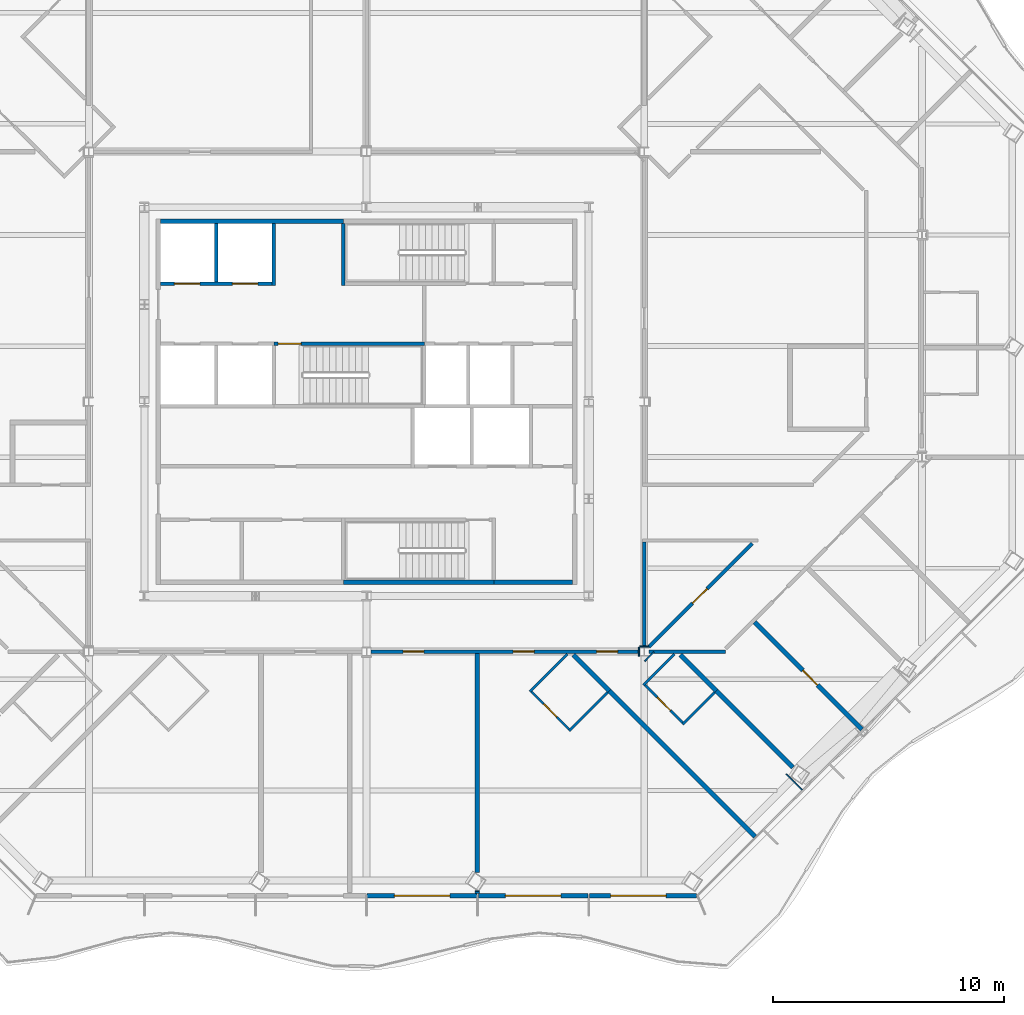
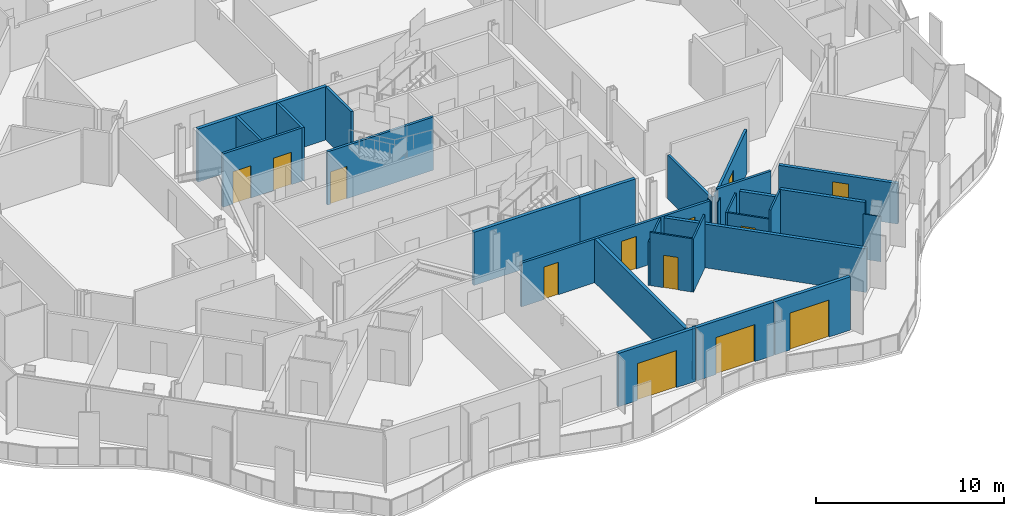
# One storey, part 9 of 21: 32 walls, 13 doors, 13 openings.
"""IFC4 building model written with IfcOpenShell, lengths in metres."""

from ifc_helpers import new_model, si_unit, direction, frame, frame_2d, origin, place, context, subcontext, project, spatial, polyline, rectangle, outline, extrude, material, layer, layer_set, type_object, element, fill, save


model = new_model("IFC4")

# Units and contexts
model_context = context("Model", 3, precision=1e-05, world=origin(), true_north=direction((0.0, 1.0)))
body_context = subcontext(model_context, "Body", "Model", "MODEL_VIEW")
ifc_project = project(units=[si_unit("LENGTHUNIT", "METRE"), si_unit("AREAUNIT", "SQUARE_METRE"), si_unit("VOLUMEUNIT", "CUBIC_METRE"), si_unit("PLANEANGLEUNIT", "RADIAN"), si_unit("MASSUNIT", "GRAM", prefix="KILO")], contexts=[model_context])

# Site, building, storey
site_placement = place(None, origin())
site = spatial("IfcSite", under=ifc_project, at=site_placement, CompositionType="ELEMENT")
building_placement = place(site_placement, origin())
building = spatial("IfcBuilding", under=site, at=building_placement, Name="Cairn Pilgrim Tower", CompositionType="ELEMENT")
storey_placement = place(building_placement, frame((0.0, 0.0, 172.199951171875)))
storey = spatial("IfcBuildingStorey", under=building, at=storey_placement, Name="L43", CompositionType="ELEMENT", Elevation=172.199951171875)

# Wall, opening, door
ifc_material_1 = material(Name="Bronze anodised aluminium insulated sandwich panel with mineral wool fill", Category="aluminium")
ifc_layer_1 = layer(ifc_material_1, 0.199951171875)
ifc_layer_set_1 = layer_set([ifc_layer_1], Name="BRONZE INFILL FRAME WALL 200")
wall_type_1 = type_object("IfcWallType", Name="BRONZE INFILL FRAME WALL 200", PredefinedType="NOTDEFINED", material=ifc_layer_set_1)
wall_1_placement = place(storey_placement, frame((7.22998046875, -18.949951171875, 0.0), z_axis=(0.0, 0.0, 1.0), x_axis=(1.0, 0.0, 0.0)))
wall_1 = element("IfcWall", 1, at=wall_1_placement, inside=storey, type_object=wall_type_1, Name="Bronze infill frame wall IW-S4", PredefinedType="NOTDEFINED", context=body_context, shape_type="SweptSolid", body=[
    extrude(rectangle(XDim=4.739990234375, YDim=0.199951171875, at=frame_2d((2.3701171875, 0.0))), origin(), (0.0, 0.0, 1.0), 3.449951171875),
])
opening_1_placement = place(wall_1_placement, frame((1.169921875, 0.0, 0.0)))
opening_1 = element("IfcOpeningElement", 2, at=opening_1_placement, cuts=wall_1, Name="Opening 4301B", PredefinedType="OPENING", context=body_context, shape_type="SweptSolid", body=[
    extrude(rectangle(XDim=2.39990234375, YDim=2.39990234375, at=frame_2d((1.199951171875, 1.199951171875))), frame((0.0, 0.10986328125, 0.0), z_axis=(0.0, -1.0, 0.0), x_axis=(1.0, 0.0, 0.0)), (0.0, 0.0, 1.0), 0.219970703125),
])
ifc_material_2 = material(Name="Bronze anodised aluminium frame with tinted low-E glass", Category="aluminium")
door_type_1 = type_object("IfcDoorType", Name="BALCONY SLIDING DOOR 2400x2400", OperationType="DOUBLE_DOOR_SLIDING", PredefinedType="DOOR", material=ifc_material_2)
door_1_placement = place(opening_1_placement, origin())
door_1 = element("IfcDoor", 3, at=door_1_placement, inside=storey, type_object=door_type_1, Name="Balcony sliding door 4301B", OperationType="SINGLE_SWING_LEFT", OverallHeight=2.39990234375, OverallWidth=2.39990234375, PredefinedType="DOOR", context=body_context, shape_type="SweptSolid", body=[
    extrude(rectangle(XDim=2.39990234375, YDim=2.39990234375, at=frame_2d((1.199951171875, 1.199951171875))), frame((0.0, 0.02490234375, 0.0), z_axis=(0.0, -1.0, 0.0), x_axis=(1.0, 0.0, 0.0)), (0.0, 0.0, 1.0), 0.050048828125),
])
fill(opening_1, door_1)

wall_2_placement = place(storey_placement, frame((12.030029296875, -18.949951171875, 0.0), z_axis=(0.0, 0.0, 1.0), x_axis=(1.0, 0.0, 0.0)))
wall_2 = element("IfcWall", 4, at=wall_2_placement, inside=storey, type_object=wall_type_1, Name="Bronze infill frame wall IW-S5", PredefinedType="NOTDEFINED", context=body_context, shape_type="SweptSolid", body=[
    extrude(rectangle(XDim=4.739990234375, YDim=0.199951171875, at=frame_2d((2.3701171875, 0.0))), origin(), (0.0, 0.0, 1.0), 3.449951171875),
])
opening_2_placement = place(wall_2_placement, frame((1.170166015625, 0.0, 0.0)))
opening_2 = element("IfcOpeningElement", 5, at=opening_2_placement, cuts=wall_2, Name="Opening 4302B", PredefinedType="OPENING", context=body_context, shape_type="SweptSolid", body=[
    extrude(rectangle(XDim=2.39990234375, YDim=2.39990234375, at=frame_2d((1.199951171875, 1.199951171875))), frame((0.0, 0.10986328125, 0.0), z_axis=(0.0, -1.0, 0.0), x_axis=(1.0, 0.0, 0.0)), (0.0, 0.0, 1.0), 0.219970703125),
])
door_2_placement = place(opening_2_placement, origin())
door_2 = element("IfcDoor", 6, at=door_2_placement, inside=storey, type_object=door_type_1, Name="Balcony sliding door 4302B", OperationType="SINGLE_SWING_LEFT", OverallHeight=2.39990234375, OverallWidth=2.39990234375, PredefinedType="DOOR", context=body_context, shape_type="SweptSolid", body=[
    extrude(rectangle(XDim=2.39990234375, YDim=2.39990234375, at=frame_2d((1.199951171875, 1.199951171875))), frame((0.0, 0.02490234375, 0.0), z_axis=(0.0, -1.0, 0.0), x_axis=(1.0, 0.0, 0.0)), (0.0, 0.0, 1.0), 0.050048828125),
])
fill(opening_2, door_2)

wall_3_placement = place(storey_placement, frame((16.830078125, -18.949951171875, 0.0), z_axis=(0.0, 0.0, 1.0), x_axis=(1.0, 0.0, 0.0)))
wall_3 = element("IfcWall", 7, at=wall_3_placement, inside=storey, type_object=wall_type_1, Name="Bronze infill frame wall IW-S6", PredefinedType="NOTDEFINED", context=body_context, shape_type="SweptSolid", body=[
    extrude(rectangle(XDim=4.62646484375, YDim=0.199951171875, at=frame_2d((2.313232421875, 0.0))), origin(), (0.0, 0.0, 1.0), 3.449951171875),
])
opening_3_placement = place(wall_3_placement, frame((0.918212890625, 0.0, 0.0)))
opening_3 = element("IfcOpeningElement", 8, at=opening_3_placement, cuts=wall_3, Name="Opening 4302B2", PredefinedType="OPENING", context=body_context, shape_type="SweptSolid", body=[
    extrude(rectangle(XDim=2.39990234375, YDim=2.39990234375, at=frame_2d((1.199951171875, 1.199951171875))), frame((0.0, 0.10986328125, 0.0), z_axis=(0.0, -1.0, 0.0), x_axis=(1.0, 0.0, 0.0)), (0.0, 0.0, 1.0), 0.219970703125),
])
door_3_placement = place(opening_3_placement, origin())
door_3 = element("IfcDoor", 9, at=door_3_placement, inside=storey, type_object=door_type_1, Name="Balcony sliding door 4302B2", OperationType="SINGLE_SWING_LEFT", OverallHeight=2.39990234375, OverallWidth=2.39990234375, PredefinedType="DOOR", context=body_context, shape_type="SweptSolid", body=[
    extrude(rectangle(XDim=2.39990234375, YDim=2.39990234375, at=frame_2d((1.199951171875, 1.199951171875))), frame((0.0, 0.02490234375, 0.0), z_axis=(0.0, -1.0, 0.0), x_axis=(1.0, 0.0, 0.0)), (0.0, 0.0, 1.0), 0.050048828125),
])
fill(opening_3, door_3)

# Walls
ifc_material_3 = material(Name="Concrete C32/40", Category="concrete")
ifc_layer_2 = layer(ifc_material_3, 0.199951171875)
ifc_layer_set_2 = layer_set([ifc_layer_2], Name="CORE OUTER WALL 200 EI 120")
wall_type_2 = type_object("IfcWallType", Name="CORE OUTER WALL 200 EI 120", PredefinedType="SOLIDWALL", material=ifc_layer_set_2)
wall_4_placement = place(storey_placement, frame((12.699951171875, -5.39990234375, 0.0), z_axis=(0.0, 0.0, 1.0), x_axis=(1.0, 0.0, 0.0)))
element("IfcWall", 10, at=wall_4_placement, inside=storey, type_object=wall_type_2, Name="CW:L43:H01-3", PredefinedType="SOLIDWALL", context=body_context, shape_type="SweptSolid", body=[
    extrude(rectangle(XDim=3.400146484375, YDim=0.199951171875, at=frame_2d((1.7001953125, 0.0))), origin(), (0.0, 0.0, 1.0), 3.449951171875),
])
wall_5_placement = place(storey_placement, frame((-1.699951171875, 10.199951171875, 0.0), z_axis=(0.0, 0.0, 1.0), x_axis=(1.0, 0.0, 0.0)))
element("IfcWall", 11, at=wall_5_placement, inside=storey, type_object=wall_type_2, Name="CW:L43:H12-1", PredefinedType="SOLIDWALL", context=body_context, shape_type="SweptSolid", body=[
    extrude(rectangle(XDim=7.89990234375, YDim=0.199951171875, at=frame_2d((3.949951171875, 0.0))), origin(), (0.0, 0.0, 1.0), 3.449951171875),
])

# Wall, openings, doors
ifc_layer_3 = layer(ifc_material_3, 0.14990234375)
ifc_layer_set_3 = layer_set([ifc_layer_3], Name="CORE SHAFT WALL 150 EI 120")
wall_type_3 = type_object("IfcWallType", Name="CORE SHAFT WALL 150 EI 120", PredefinedType="SOLIDWALL", material=ifc_layer_set_3)
wall_6_placement = place(storey_placement, frame((-1.699951171875, 7.5, 0.0), z_axis=(0.0, 0.0, 1.0), x_axis=(1.0, 0.0, 0.0)))
wall_6 = element("IfcWall", 12, at=wall_6_placement, inside=storey, type_object=wall_type_3, Name="CW:L43:H10", PredefinedType="SOLIDWALL", context=body_context, shape_type="SweptSolid", body=[
    extrude(rectangle(XDim=4.824951171875, YDim=0.14990234375, at=frame_2d((2.41259765625, 0.0))), origin(), (0.0, 0.0, 1.0), 3.449951171875),
])
opening_4_placement = place(wall_6_placement, frame((0.60009765625, 0.0, 0.0)))
opening_4 = element("IfcOpeningElement", 13, at=opening_4_placement, cuts=wall_6, Name="Opening LD-HR3", PredefinedType="OPENING", context=body_context, shape_type="SweptSolid", body=[
    extrude(rectangle(XDim=1.10009765625, YDim=2.10009765625, at=frame_2d((0.550048828125, 1.050048828125))), frame((0.0, 0.0849609375, 0.0), z_axis=(0.0, -1.0, 0.0), x_axis=(1.0, 0.0, 0.0)), (0.0, 0.0, 1.0), 0.169921875),
])
opening_5_placement = place(wall_6_placement, frame((3.10009765625, 0.0, 0.0)))
opening_5 = element("IfcOpeningElement", 14, at=opening_5_placement, cuts=wall_6, Name="Opening LD-HR4", PredefinedType="OPENING", context=body_context, shape_type="SweptSolid", body=[
    extrude(rectangle(XDim=1.10009765625, YDim=2.10009765625, at=frame_2d((0.550048828125, 1.050048828125))), frame((0.0, 0.0849609375, 0.0), z_axis=(0.0, -1.0, 0.0), x_axis=(1.0, 0.0, 0.0)), (0.0, 0.0, 1.0), 0.169921875),
])
ifc_material_4 = material(Name="Stainless steel", Category="steel")
door_type_2 = type_object("IfcDoorType", Name="LIFT LANDING DOOR 1100x2100", OperationType="DOUBLE_DOOR_SLIDING", PredefinedType="DOOR", material=ifc_material_4)
door_4_placement = place(opening_4_placement, origin())
door_4 = element("IfcDoor", 15, at=door_4_placement, inside=storey, type_object=door_type_2, Name="LANDING DOOR HR3", OperationType="DOUBLE_DOOR_SLIDING", OverallHeight=2.10009765625, OverallWidth=1.10009765625, PredefinedType="DOOR", context=body_context, shape_type="SweptSolid", body=[
    extrude(rectangle(XDim=1.10009765625, YDim=2.10009765625, at=frame_2d((0.550048828125, 1.050048828125))), frame((0.0, 0.02490234375, 0.0), z_axis=(0.0, -1.0, 0.0), x_axis=(1.0, 0.0, 0.0)), (0.0, 0.0, 1.0), 0.050048828125),
])
fill(opening_4, door_4)
door_5_placement = place(opening_5_placement, origin())
door_5 = element("IfcDoor", 16, at=door_5_placement, inside=storey, type_object=door_type_2, Name="LANDING DOOR HR4", OperationType="DOUBLE_DOOR_SLIDING", OverallHeight=2.10009765625, OverallWidth=1.10009765625, PredefinedType="DOOR", context=body_context, shape_type="SweptSolid", body=[
    extrude(rectangle(XDim=1.10009765625, YDim=2.10009765625, at=frame_2d((0.550048828125, 1.050048828125))), frame((0.0, 0.02490234375, 0.0), z_axis=(0.0, -1.0, 0.0), x_axis=(1.0, 0.0, 0.0)), (0.0, 0.0, 1.0), 0.050048828125),
])
fill(opening_5, door_5)

# Walls
wall_7_placement = place(storey_placement, frame((0.699951171875, 7.574951171875, 0.0), z_axis=(0.0, 0.0, 1.0), x_axis=(0.0, 1.0, 0.0)))
element("IfcWall", 17, at=wall_7_placement, inside=storey, type_object=wall_type_3, Name="CW:L43:V15", PredefinedType="SOLIDWALL", context=body_context, shape_type="SweptSolid", body=[
    extrude(rectangle(XDim=2.525146484375, YDim=0.14990234375, at=frame_2d((1.2626953125, 0.0))), origin(), (0.0, 0.0, 1.0), 3.449951171875),
])
wall_8_placement = place(storey_placement, frame((3.199951171875, 7.425048828125, 0.0), z_axis=(0.0, 0.0, 1.0), x_axis=(0.0, 1.0, 0.0)))
element("IfcWall", 18, at=wall_8_placement, inside=storey, type_object=wall_type_3, Name="CW:L43:V18", PredefinedType="SOLIDWALL", context=body_context, shape_type="SweptSolid", body=[
    extrude(rectangle(XDim=2.675048828125, YDim=0.14990234375, at=frame_2d((1.33740234375, 0.0))), origin(), (0.0, 0.0, 1.0), 3.449951171875),
])
ifc_material_5 = material(Name="Gypsum partition")
ifc_layer_4 = layer(ifc_material_5, 0.10009765625)
ifc_layer_set_4 = layer_set([ifc_layer_4], Name="PARTITION 100 DRYWALL")
wall_type_4 = type_object("IfcWallType", Name="PARTITION 100 DRYWALL", PredefinedType="PARTITIONING", material=ifc_layer_set_4)
wall_9_placement = place(storey_placement, frame((15.95361328125, -11.829345703125, 0.0), z_axis=(0.0, 0.0, 1.0), x_axis=(0.707106781187, 0.707106781187, 0.0)))
element("IfcWall", 19, at=wall_9_placement, inside=storey, type_object=wall_type_4, Name="PARTITION W014", PredefinedType="PARTITIONING", context=body_context, shape_type="SweptSolid", body=[
    extrude(rectangle(XDim=2.349853515625, YDim=0.10009765625, at=frame_2d((1.1748046875, 0.0))), origin(), (0.0, 0.0, 1.0), 3.449951171875),
])

# Wall, opening, door
wall_10_placement = place(storey_placement, frame((15.95361328125, -11.758544921875, 0.0), z_axis=(0.0, 0.0, 1.0), x_axis=(-0.707106781187, 0.707106781187, 0.0)))
wall_10 = element("IfcWall", 20, at=wall_10_placement, inside=storey, type_object=wall_type_4, Name="PARTITION W015", PredefinedType="PARTITIONING", context=body_context, shape_type="SweptSolid", body=[
    extrude(rectangle(XDim=2.2998046875, YDim=0.10009765625, at=frame_2d((1.14990234375, 0.0))), origin(), (0.0, 0.0, 1.0), 3.449951171875),
])
opening_6_placement = place(wall_10_placement, frame((0.75, 0.0, 0.0)))
opening_6 = element("IfcOpeningElement", 21, at=opening_6_placement, cuts=wall_10, Name="Opening 4302A", PredefinedType="OPENING", context=body_context, shape_type="SweptSolid", body=[
    extrude(rectangle(XDim=0.800048828125, YDim=2.10009765625, at=frame_2d((0.39990234375, 1.050048828125))), frame((0.0, 0.06005859375, 0.0), z_axis=(0.0, -1.0, 0.0), x_axis=(1.0, 0.0, 0.0)), (0.0, 0.0, 1.0), 0.1201171875),
])
ifc_material_6 = material(Name="Timber door leaf", Category="wood")
door_type_3 = type_object("IfcDoorType", Name="WC DOOR 800x2100", OperationType="NOTDEFINED", PredefinedType="DOOR", material=ifc_material_6)
door_6_placement = place(opening_6_placement, origin())
door_6 = element("IfcDoor", 22, at=door_6_placement, inside=storey, type_object=door_type_3, Name="DOOR 4302A", OperationType="SINGLE_SWING_RIGHT", OverallHeight=2.10009765625, OverallWidth=0.800048828125, PredefinedType="DOOR", context=body_context, shape_type="SweptSolid", body=[
    extrude(rectangle(XDim=0.800048828125, YDim=2.10009765625, at=frame_2d((0.39990234375, 1.050048828125))), frame((0.0, 0.02490234375, 0.0), z_axis=(0.0, -1.0, 0.0), x_axis=(1.0, 0.0, 0.0)), (0.0, 0.0, 1.0), 0.050048828125),
])
fill(opening_6, door_6)

# Wall
wall_11_placement = place(storey_placement, frame((20.860595703125, -11.54638671875, 0.0), z_axis=(0.0, 0.0, 1.0), x_axis=(0.707106781187, 0.707106781187, 0.0)))
element("IfcWall", 23, at=wall_11_placement, inside=storey, type_object=wall_type_4, Name="PARTITION W017", PredefinedType="PARTITIONING", context=body_context, shape_type="SweptSolid", body=[
    extrude(rectangle(XDim=1.94970703125, YDim=0.10009765625, at=frame_2d((0.974853515625, 0.0))), origin(), (0.0, 0.0, 1.0), 3.449951171875),
])

# Wall, opening, door
wall_12_placement = place(storey_placement, frame((20.860595703125, -11.4755859375, 0.0), z_axis=(0.0, 0.0, 1.0), x_axis=(-0.707106781187, 0.707106781187, 0.0)))
wall_12 = element("IfcWall", 24, at=wall_12_placement, inside=storey, type_object=wall_type_4, Name="PARTITION W018", PredefinedType="PARTITIONING", context=body_context, shape_type="SweptSolid", body=[
    extrude(rectangle(XDim=2.2998046875, YDim=0.10009765625, at=frame_2d((1.14990234375, 0.0))), origin(), (0.0, 0.0, 1.0), 2.830078125),
])
opening_7_placement = place(wall_12_placement, frame((0.75, 0.0, 0.0)))
opening_7 = element("IfcOpeningElement", 25, at=opening_7_placement, cuts=wall_12, Name="Opening 4303A", PredefinedType="OPENING", context=body_context, shape_type="SweptSolid", body=[
    extrude(rectangle(XDim=0.800048828125, YDim=2.10009765625, at=frame_2d((0.39990234375, 1.050048828125))), frame((0.0, 0.06005859375, 0.0), z_axis=(0.0, -1.0, 0.0), x_axis=(1.0, 0.0, 0.0)), (0.0, 0.0, 1.0), 0.1201171875),
])
door_7_placement = place(opening_7_placement, origin())
door_7 = element("IfcDoor", 26, at=door_7_placement, inside=storey, type_object=door_type_3, Name="DOOR 4303A", OperationType="SINGLE_SWING_RIGHT", OverallHeight=2.10009765625, OverallWidth=0.800048828125, PredefinedType="DOOR", context=body_context, shape_type="SweptSolid", body=[
    extrude(rectangle(XDim=0.800048828125, YDim=2.10009765625, at=frame_2d((0.39990234375, 1.050048828125))), frame((0.0, 0.02490234375, 0.0), z_axis=(0.0, -1.0, 0.0), x_axis=(1.0, 0.0, 0.0)), (0.0, 0.0, 1.0), 0.050048828125),
])
fill(opening_7, door_7)

# Walls
wall_13_placement = place(storey_placement, frame((14.256591796875, -10.13232421875, 0.0), z_axis=(0.0, 0.0, 1.0), x_axis=(0.707106781187, 0.707106781187, 0.0)))
element("IfcWall", 27, at=wall_13_placement, inside=storey, type_object=wall_type_4, Name="PARTITION W023", PredefinedType="PARTITIONING", context=body_context, shape_type="SweptSolid", body=[
    extrude(rectangle(XDim=2.2939453125, YDim=0.10009765625, at=frame_2d((1.14697265625, 0.0))), origin(), (0.0, 0.0, 1.0), 2.830078125),
])
wall_14_placement = place(storey_placement, frame((19.16357421875, -9.849365234375, 0.0), z_axis=(0.0, 0.0, 1.0), x_axis=(0.707171242354, 0.707042314142, 0.0)))
element("IfcWall", 28, at=wall_14_placement, inside=storey, type_object=wall_type_4, Name="PARTITION W026", PredefinedType="PARTITIONING", context=body_context, shape_type="SweptSolid", body=[
    extrude(rectangle(XDim=1.8935546875, YDim=0.10009765625, at=frame_2d((0.94677734375, 0.0))), origin(), (0.0, 0.0, 1.0), 2.830078125),
])

# Wall, openings, doors
ifc_layer_5 = layer(ifc_material_5, 0.14990234375)
ifc_layer_set_5 = layer_set([ifc_layer_5], Name="PARTITION 150 DRYWALL EI 60")
wall_type_5 = type_object("IfcWallType", Name="PARTITION 150 DRYWALL EI 60", PredefinedType="PARTITIONING", material=ifc_layer_set_5)
wall_15_placement = place(storey_placement, frame((7.3994140625, -8.39990234375, 0.0), z_axis=(0.0, 0.0, 1.0), x_axis=(1.0, 0.0, 0.0)))
wall_15 = element("IfcWall", 29, at=wall_15_placement, inside=storey, type_object=wall_type_5, Name="PARTITION W031", PredefinedType="PARTITIONING", context=body_context, shape_type="SweptSolid", body=[
    extrude(rectangle(XDim=11.60107421875, YDim=0.14990234375, at=frame_2d((5.800537109375, 0.0))), origin(), (0.0, 0.0, 1.0), 2.830078125),
])
opening_8_placement = place(wall_15_placement, frame((1.37939453125, 0.0, 0.0)))
opening_8 = element("IfcOpeningElement", 30, at=opening_8_placement, cuts=wall_15, Name="Opening 4301", PredefinedType="OPENING", context=body_context, shape_type="SweptSolid", body=[
    extrude(rectangle(XDim=0.89990234375, YDim=2.10009765625, at=frame_2d((0.449951171875, 1.050048828125))), frame((0.0, 0.0849609375, 0.0), z_axis=(0.0, -1.0, 0.0), x_axis=(1.0, 0.0, 0.0)), (0.0, 0.0, 1.0), 0.169921875),
])
opening_9_placement = place(wall_15_placement, frame((6.139404296875, 0.0, 0.0)))
opening_9 = element("IfcOpeningElement", 31, at=opening_9_placement, cuts=wall_15, Name="Opening 4302", PredefinedType="OPENING", context=body_context, shape_type="SweptSolid", body=[
    extrude(rectangle(XDim=0.89990234375, YDim=2.10009765625, at=frame_2d((0.449951171875, 1.050048828125))), frame((0.0, 0.0849609375, 0.0), z_axis=(0.0, -1.0, 0.0), x_axis=(1.0, 0.0, 0.0)), (0.0, 0.0, 1.0), 0.169921875),
])
opening_10_placement = place(wall_15_placement, frame((9.745361328125, 0.0, 0.0)))
opening_10 = element("IfcOpeningElement", 32, at=opening_10_placement, cuts=wall_15, Name="Opening 4303", PredefinedType="OPENING", context=body_context, shape_type="SweptSolid", body=[
    extrude(rectangle(XDim=0.89990234375, YDim=2.10009765625, at=frame_2d((0.449951171875, 1.050048828125))), frame((0.0, 0.0849609375, 0.0), z_axis=(0.0, -1.0, 0.0), x_axis=(1.0, 0.0, 0.0)), (0.0, 0.0, 1.0), 0.169921875),
])
door_type_4 = type_object("IfcDoorType", Name="ROOM DOOR 900x2100 FD30S", OperationType="NOTDEFINED", PredefinedType="DOOR", material=ifc_material_6)
door_8_placement = place(opening_9_placement, frame((0.89990234375, 0.0, 0.0), z_axis=(0.0, 0.0, 1.0), x_axis=(-1.0, 0.0, 0.0)))
door_8 = element("IfcDoor", 33, at=door_8_placement, inside=storey, type_object=door_type_4, Name="DOOR 4302", OperationType="SINGLE_SWING_RIGHT", OverallHeight=2.10009765625, OverallWidth=0.89990234375, PredefinedType="DOOR", context=body_context, shape_type="SweptSolid", body=[
    extrude(rectangle(XDim=0.89990234375, YDim=2.10009765625, at=frame_2d((0.449951171875, 1.050048828125))), frame((0.0, 0.02490234375, 0.0), z_axis=(0.0, -1.0, 0.0), x_axis=(1.0, 0.0, 0.0)), (0.0, 0.0, 1.0), 0.050048828125),
])
fill(opening_9, door_8)
door_9_placement = place(opening_10_placement, frame((0.89990234375, 0.0, 0.0), z_axis=(0.0, 0.0, 1.0), x_axis=(-1.0, 0.0, 0.0)))
door_9 = element("IfcDoor", 34, at=door_9_placement, inside=storey, type_object=door_type_4, Name="DOOR 4303", OperationType="SINGLE_SWING_RIGHT", OverallHeight=2.10009765625, OverallWidth=0.89990234375, PredefinedType="DOOR", context=body_context, shape_type="SweptSolid", body=[
    extrude(rectangle(XDim=0.89990234375, YDim=2.10009765625, at=frame_2d((0.449951171875, 1.050048828125))), frame((0.0, 0.02490234375, 0.0), z_axis=(0.0, -1.0, 0.0), x_axis=(1.0, 0.0, 0.0)), (0.0, 0.0, 1.0), 0.050048828125),
])
fill(opening_10, door_9)
door_type_5 = type_object("IfcDoorType", Name="SERVICE DOOR 900x2100 FD30S", OperationType="NOTDEFINED", PredefinedType="DOOR", material=ifc_material_6)
door_10_placement = place(opening_8_placement, frame((0.89990234375, 0.0, 0.0), z_axis=(0.0, 0.0, 1.0), x_axis=(-1.0, 0.0, 0.0)))
door_10 = element("IfcDoor", 35, at=door_10_placement, inside=storey, type_object=door_type_5, Name="DOOR 4301", OperationType="SINGLE_SWING_RIGHT", OverallHeight=2.10009765625, OverallWidth=0.89990234375, PredefinedType="DOOR", context=body_context, shape_type="SweptSolid", body=[
    extrude(rectangle(XDim=0.89990234375, YDim=2.10009765625, at=frame_2d((0.449951171875, 1.050048828125))), frame((0.0, 0.02490234375, 0.0), z_axis=(0.0, -1.0, 0.0), x_axis=(1.0, 0.0, 0.0)), (0.0, 0.0, 1.0), 0.050048828125),
])
fill(opening_8, door_10)

# Walls
wall_16_placement = place(storey_placement, frame((19.3994140625, -8.39990234375, 0.0), z_axis=(0.0, 0.0, 1.0), x_axis=(1.0, 0.0, 0.0)))
element("IfcWall", 36, at=wall_16_placement, inside=storey, type_object=wall_type_5, Name="PARTITION W032", PredefinedType="PARTITIONING", context=body_context, shape_type="SweptSolid", body=[
    extrude(rectangle(XDim=3.300537109375, YDim=0.14990234375, at=frame_2d((1.650390625, 0.0))), origin(), (0.0, 0.0, 1.0), 3.449951171875),
])
wall_17_placement = place(storey_placement, frame((19.199951171875, -8.20361328125, 0.0), z_axis=(0.0, 0.0, 1.0), x_axis=(0.0, 1.0, 0.0)))
element("IfcWall", 37, at=wall_17_placement, inside=storey, type_object=wall_type_5, Name="PARTITION W037", PredefinedType="PARTITIONING", context=body_context, shape_type="SweptSolid", body=[
    extrude(rectangle(XDim=4.528564453125, YDim=0.14990234375, at=frame_2d((2.26416015625, 0.0))), origin(), (0.0, 0.0, 1.0), 2.830078125),
])

# Wall, opening, door
wall_18_placement = place(storey_placement, frame((19.39794921875, -8.201904296875, 0.0), z_axis=(0.0, 0.0, 1.0), x_axis=(0.707126073897, 0.70708748795, 0.0)))
wall_18 = element("IfcWall", 38, at=wall_18_placement, inside=storey, type_object=wall_type_5, Name="PARTITION W038", PredefinedType="PARTITIONING", context=body_context, shape_type="SweptSolid", body=[
    extrude(rectangle(XDim=6.3271484375, YDim=0.14990234375, at=frame_2d((3.16357421875, 0.0))), origin(), (0.0, 0.0, 1.0), 2.880126953125),
])
opening_11_placement = place(wall_18_placement, frame((2.6640625, 0.0, 0.0)))
opening_11 = element("IfcOpeningElement", 39, at=opening_11_placement, cuts=wall_18, Name="Opening 4329", PredefinedType="OPENING", context=body_context, shape_type="SweptSolid", body=[
    extrude(rectangle(XDim=0.89990234375, YDim=2.10009765625, at=frame_2d((0.449951171875, 1.050048828125))), frame((0.0, 0.0849609375, 0.0), z_axis=(0.0, -1.0, 0.0), x_axis=(1.0, 0.0, 0.0)), (0.0, 0.0, 1.0), 0.169921875),
])
door_11_placement = place(opening_11_placement, origin())
door_11 = element("IfcDoor", 40, at=door_11_placement, inside=storey, type_object=door_type_5, Name="DOOR 4329", OperationType="SINGLE_SWING_RIGHT", OverallHeight=2.10009765625, OverallWidth=0.89990234375, PredefinedType="DOOR", context=body_context, shape_type="SweptSolid", body=[
    extrude(rectangle(XDim=0.89990234375, YDim=2.10009765625, at=frame_2d((0.449951171875, 1.050048828125))), frame((0.0, 0.02490234375, 0.0), z_axis=(0.0, -1.0, 0.0), x_axis=(1.0, 0.0, 0.0)), (0.0, 0.0, 1.0), 0.050048828125),
])
fill(opening_11, door_11)

# Walls
ifc_layer_6 = layer(ifc_material_5, 0.050048828125)
ifc_layer_set_6 = layer_set([ifc_layer_6], Name="PARTITION 50 DRYWALL EI 60")
wall_type_6 = type_object("IfcWallType", Name="PARTITION 50 DRYWALL EI 60", PredefinedType="PARTITIONING", material=ifc_layer_set_6)
wall_19_placement = place(storey_placement, frame((26.02197265625, -14.380859375, 0.0), z_axis=(0.0, 0.0, 1.0), x_axis=(-0.707232254838, 0.706981285266, 0.0)))
element("IfcWall", 41, at=wall_19_placement, inside=storey, type_object=wall_type_6, Name="COLUMN CASING WC03", PredefinedType="PARTITIONING", context=body_context, shape_type="SweptSolid", body=[
    extrude(rectangle(XDim=0.972900390625, YDim=0.050048828125, at=frame_2d((0.486328125, 0.0))), origin(), (0.0, 0.0, 1.0), 2.929931640625),
])
wall_20_placement = place(storey_placement, frame((19.00048828125, -8.178466796875, 0.0), z_axis=(0.0, 0.0, 1.0), x_axis=(1.0, 0.0, 0.0)))
element("IfcWall", 42, at=wall_20_placement, inside=storey, type_object=wall_type_6, Name="COLUMN CASING WC08", PredefinedType="PARTITIONING", context=body_context, shape_type="SweptSolid", body=[
    extrude(rectangle(XDim=0.39892578125, YDim=0.050048828125, at=frame_2d((0.199462890625, 0.0))), origin(), (0.0, 0.0, 1.0), 2.830078125),
])
wall_21_placement = place(storey_placement, frame((18.9755859375, -8.596435546875, 0.0), z_axis=(0.0, 0.0, 1.0), x_axis=(0.0, 1.0, 0.0)))
element("IfcWall", 43, at=wall_21_placement, inside=storey, type_object=wall_type_6, Name="COLUMN CASING WC11", PredefinedType="PARTITIONING", context=body_context, shape_type="SweptSolid", body=[
    extrude(rectangle(XDim=0.392822265625, YDim=0.050048828125, at=frame_2d((0.1962890625, 0.0))), origin(), (0.0, 0.0, 1.0), 2.830078125),
])
wall_22_placement = place(storey_placement, frame((19.2177734375, -8.813720703125, 0.0), z_axis=(0.0, 0.0, 1.0), x_axis=(0.707106781187, 0.707106781187, 0.0)))
element("IfcWall", 44, at=wall_22_placement, inside=storey, type_object=wall_type_6, Name="COLUMN CASING WC12", PredefinedType="PARTITIONING", context=body_context, shape_type="SweptSolid", body=[
    extrude(rectangle(XDim=0.56005859375, YDim=0.050048828125, at=frame_2d((0.280029296875, 0.0))), origin(), (0.0, 0.0, 1.0), 2.830078125),
])
ifc_layer_7 = layer(ifc_material_5, 0.199951171875)
ifc_layer_set_7 = layer_set([ifc_layer_7], Name="SHAFT WALL 200 GYPSUM EI 60")
wall_type_7 = type_object("IfcWallType", Name="SHAFT WALL 200 GYPSUM EI 60", PredefinedType="PARTITIONING", material=ifc_layer_set_7)
wall_23_placement = place(storey_placement, frame((11.988037109375, -18.85009765625, 0.0), z_axis=(0.0, 0.0, 1.0), x_axis=(0.0, 1.0, 0.0)))
element("IfcWall", 45, at=wall_23_placement, inside=storey, type_object=wall_type_7, Name="PARTITION W001", PredefinedType="PARTITIONING", context=body_context, shape_type="SweptSolid", body=[
    extrude(outline(polyline([(0.0, 0.0), (0.127197265625, 0.0), (0.09130859375, 0.862548828125), (0.055419921875, 1.72509765625), (0.048095703125, 2.587646484375), (0.048095703125, 3.449951171875), (0.0, 3.449951171875), (0.0, 2.587646484375), (0.0, 1.72509765625), (0.0, 0.862548828125), (0.0, 0.0)])), frame((0.0, 0.10009765625, 0.0), z_axis=(0.0, -1.0, 0.0), x_axis=(1.0, 0.0, 0.0)), (0.0, 0.0, 1.0), 0.199951171875),
])
wall_24_placement = place(storey_placement, frame((11.988037109375, -18.033447265625, 0.0), z_axis=(0.0, 0.0, 1.0), x_axis=(0.0, 1.0, 0.0)))
element("IfcWall", 46, at=wall_24_placement, inside=storey, type_object=wall_type_7, Name="PARTITION W004", PredefinedType="PARTITIONING", context=body_context, shape_type="SweptSolid", body=[
    extrude(outline(polyline([(0.0859375, 0.0), (9.55859375, 0.0), (9.55859375, 0.862548828125), (9.55859375, 1.72509765625), (9.55859375, 2.587646484375), (9.55859375, 2.830078125), (0.02587890625, 2.830078125), (0.035888671875, 2.587646484375), (0.072021484375, 1.72509765625), (0.0859375, 0.862548828125), (0.0859375, 0.0)])), frame((0.0, 0.10009765625, 0.0), z_axis=(0.0, -1.0, 0.0), x_axis=(1.0, 0.0, 0.0)), (0.0, 0.0, 1.0), 0.199951171875),
])
wall_25_placement = place(storey_placement, frame((23.98388671875, -16.39599609375, 0.0), z_axis=(0.0, 0.0, 1.0), x_axis=(-0.707038255784, 0.707175299949, 0.0)))
element("IfcWall", 47, at=wall_25_placement, inside=storey, type_object=wall_type_7, Name="PARTITION W006", PredefinedType="PARTITIONING", context=body_context, shape_type="SweptSolid", body=[
    extrude(rectangle(XDim=8.907470703125, YDim=0.199951171875, at=frame_2d((4.45361328125, 0.0))), origin(), (0.0, 0.0, 1.0), 2.830078125),
])
wall_26_placement = place(storey_placement, frame((25.620361328125, -13.406494140625, 0.0), z_axis=(0.0, 0.0, 1.0), x_axis=(-0.707185011059, 0.707028542659, 0.0)))
element("IfcWall", 48, at=wall_26_placement, inside=storey, type_object=wall_type_7, Name="PARTITION W009", PredefinedType="PARTITIONING", context=body_context, shape_type="SweptSolid", body=[
    extrude(rectangle(XDim=4.680908203125, YDim=0.199951171875, at=frame_2d((2.34033203125, 0.0))), origin(), (0.0, 0.0, 1.0), 3.449951171875),
])

# Wall, opening, door
wall_27_placement = place(storey_placement, frame((28.599853515625, -11.76171875, 0.0), z_axis=(0.0, 0.0, 1.0), x_axis=(-0.707125420898, 0.707088140984, 0.0)))
wall_27 = element("IfcWall", 49, at=wall_27_placement, inside=storey, type_object=wall_type_7, Name="PARTITION W016", PredefinedType="PARTITIONING", context=body_context, shape_type="SweptSolid", body=[
    extrude(rectangle(XDim=6.548828125, YDim=0.199951171875, at=frame_2d((3.2744140625, 0.0))), origin(), (0.0, 0.0, 1.0), 2.630126953125),
])
opening_12_placement = place(wall_27_placement, frame((2.70703125, 0.0, 0.0)))
opening_12 = element("IfcOpeningElement", 50, at=opening_12_placement, cuts=wall_27, Name="Opening 4304", PredefinedType="OPENING", context=body_context, shape_type="SweptSolid", body=[
    extrude(rectangle(XDim=0.89990234375, YDim=2.10009765625, at=frame_2d((0.449951171875, 1.050048828125))), frame((0.0, 0.10986328125, 0.0), z_axis=(0.0, -1.0, 0.0), x_axis=(1.0, 0.0, 0.0)), (0.0, 0.0, 1.0), 0.219970703125),
])
door_12_placement = place(opening_12_placement, origin())
door_12 = element("IfcDoor", 51, at=door_12_placement, inside=storey, type_object=door_type_5, Name="DOOR 4304", OperationType="SINGLE_SWING_RIGHT", OverallHeight=2.10009765625, OverallWidth=0.89990234375, PredefinedType="DOOR", context=body_context, shape_type="SweptSolid", body=[
    extrude(rectangle(XDim=0.89990234375, YDim=2.10009765625, at=frame_2d((0.449951171875, 1.050048828125))), frame((0.0, 0.02490234375, 0.0), z_axis=(0.0, -1.0, 0.0), x_axis=(1.0, 0.0, 0.0)), (0.0, 0.0, 1.0), 0.050048828125),
])
fill(opening_12, door_12)

# Walls
wall_28_placement = place(storey_placement, frame((17.68603515625, -10.096923828125, 0.0), z_axis=(0.0, 0.0, 1.0), x_axis=(-0.707106781187, 0.707106781187, 0.0)))
element("IfcWall", 52, at=wall_28_placement, inside=storey, type_object=wall_type_7, Name="PARTITION W024", PredefinedType="PARTITIONING", context=body_context, shape_type="SweptSolid", body=[
    extrude(rectangle(XDim=2.19384765625, YDim=0.199951171875, at=frame_2d((1.096923828125, 0.0))), origin(), (0.0, 0.0, 1.0), 2.830078125),
])
wall_29_placement = place(storey_placement, frame((22.31005859375, -10.096923828125, 0.0), z_axis=(0.0, 0.0, 1.0), x_axis=(-0.707106781187, 0.707106781187, 0.0)))
element("IfcWall", 53, at=wall_29_placement, inside=storey, type_object=wall_type_7, Name="PARTITION W025", PredefinedType="PARTITIONING", context=body_context, shape_type="SweptSolid", body=[
    extrude(rectangle(XDim=2.19384765625, YDim=0.199951171875, at=frame_2d((1.096923828125, 0.0))), origin(), (0.0, 0.0, 1.0), 2.929931640625),
])

# Wall, opening, door
ifc_material_7 = material(Name="Concrete C35/45", Category="concrete")
ifc_layer_8 = layer(ifc_material_7, 0.14990234375)
ifc_layer_set_8 = layer_set([ifc_layer_8], Name="STAIR SHAFT WALL 150 EI 120")
wall_type_8 = type_object("IfcWallType", Name="STAIR SHAFT WALL 150 EI 120", PredefinedType="SOLIDWALL", material=ifc_layer_set_8)
wall_30_placement = place(storey_placement, frame((3.199951171875, 4.89990234375, 0.0), z_axis=(0.0, 0.0, 1.0), x_axis=(1.0, 0.0, 0.0)))
wall_30 = element("IfcWall", 54, at=wall_30_placement, inside=storey, type_object=wall_type_8, Name="CW:L43:H09-2", PredefinedType="SOLIDWALL", context=body_context, shape_type="SweptSolid", body=[
    extrude(rectangle(XDim=6.5, YDim=0.14990234375, at=frame_2d((3.25, 0.0))), origin(), (0.0, 0.0, 1.0), 3.449951171875),
])
opening_13_placement = place(wall_30_placement, frame((0.175048828125, 0.0, 0.0)))
opening_13 = element("IfcOpeningElement", 55, at=opening_13_placement, cuts=wall_30, Name="Opening SD-B", PredefinedType="OPENING", context=body_context, shape_type="SweptSolid", body=[
    extrude(rectangle(XDim=1.0, YDim=2.10009765625, at=frame_2d((0.5, 1.050048828125))), frame((0.0, 0.0849609375, 0.0), z_axis=(0.0, -1.0, 0.0), x_axis=(1.0, 0.0, 0.0)), (0.0, 0.0, 1.0), 0.169921875),
])
ifc_material_8 = material(Name="Painted steel", Category="steel")
door_type_6 = type_object("IfcDoorType", Name="STAIR DOOR FD60S 1000x2100", OperationType="SINGLE_SWING_LEFT", PredefinedType="DOOR", material=ifc_material_8)
door_13_placement = place(opening_13_placement, origin())
door_13 = element("IfcDoor", 56, at=door_13_placement, inside=storey, type_object=door_type_6, Name="SD-B", OperationType="SINGLE_SWING_LEFT", OverallHeight=2.10009765625, OverallWidth=1.0, PredefinedType="DOOR", context=body_context, shape_type="SweptSolid", body=[
    extrude(rectangle(XDim=1.0, YDim=2.10009765625, at=frame_2d((0.5, 1.050048828125))), frame((0.0, 0.02490234375, 0.0), z_axis=(0.0, -1.0, 0.0), x_axis=(1.0, 0.0, 0.0)), (0.0, 0.0, 1.0), 0.050048828125),
])
fill(opening_13, door_13)

# Walls
wall_31_placement = place(storey_placement, frame((6.199951171875, 7.425048828125, 0.0), z_axis=(0.0, 0.0, 1.0), x_axis=(0.0, 1.0, 0.0)))
element("IfcWall", 57, at=wall_31_placement, inside=storey, type_object=wall_type_8, Name="CW:L43:V20", PredefinedType="SOLIDWALL", context=body_context, shape_type="SweptSolid", body=[
    extrude(rectangle(XDim=2.675048828125, YDim=0.14990234375, at=frame_2d((1.33740234375, 0.0))), origin(), (0.0, 0.0, 1.0), 3.449951171875),
])
ifc_layer_9 = layer(ifc_material_7, 0.199951171875)
ifc_layer_set_9 = layer_set([ifc_layer_9], Name="STAIR SHAFT WALL 200 EI 120")
wall_type_9 = type_object("IfcWallType", Name="STAIR SHAFT WALL 200 EI 120", PredefinedType="SOLIDWALL", material=ifc_layer_set_9)
wall_32_placement = place(storey_placement, frame((6.199951171875, -5.39990234375, 0.0), z_axis=(0.0, 0.0, 1.0), x_axis=(1.0, 0.0, 0.0)))
element("IfcWall", 58, at=wall_32_placement, inside=storey, type_object=wall_type_9, Name="CW:L43:H01-2", PredefinedType="SOLIDWALL", context=body_context, shape_type="SweptSolid", body=[
    extrude(rectangle(XDim=6.5, YDim=0.199951171875, at=frame_2d((3.25, 0.0))), origin(), (0.0, 0.0, 1.0), 3.449951171875),
])

save(model, "model.ifc")
